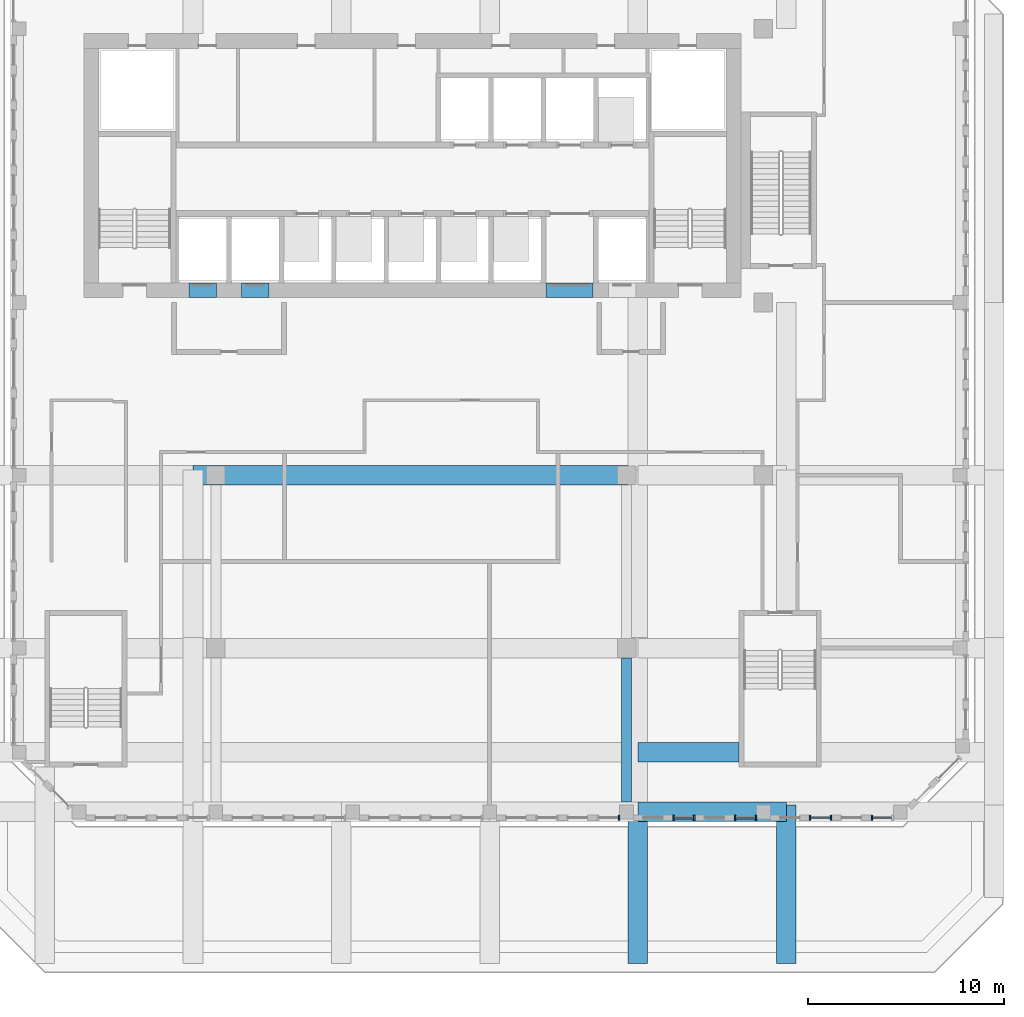
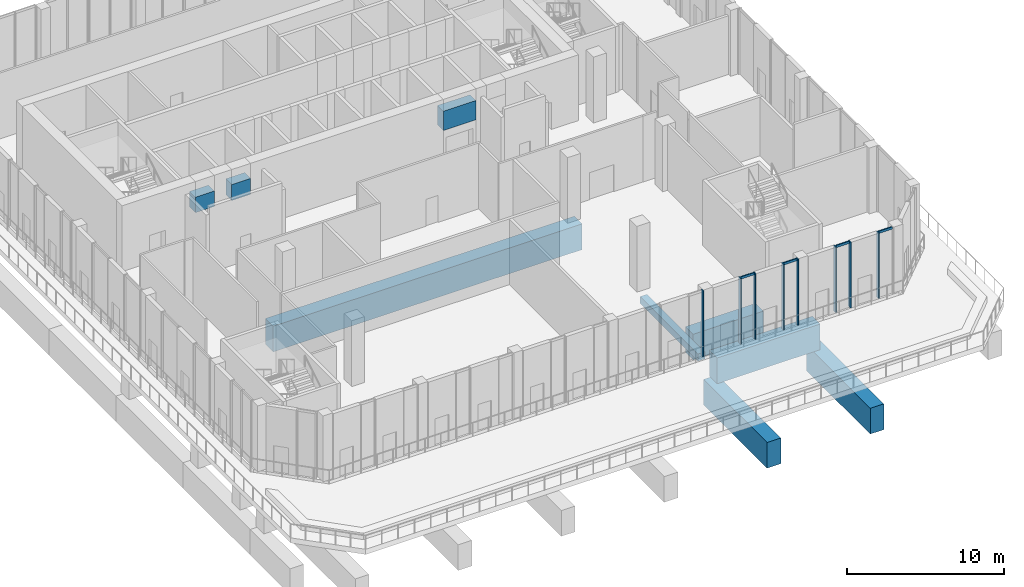
# One storey, part 3 of 18: 12 members, 9 beams, 5 elements without a shape of their own.
"""IFC4 building model written with IfcOpenShell, lengths in metres."""

from ifc_helpers import new_model, si_unit, direction, frame, origin, origin_2d, place, context, subcontext, project, spatial, rectangle, extrude, source, transform, mapped, material, material_profile, profile_set, type_object, element, aggregate, save


model = new_model("IFC4")

# Units and contexts
model_context = context("Model", 3, precision=1e-05, world=origin(), true_north=direction((0.0, 1.0)))
body_context = subcontext(model_context, "Body", "Model", "MODEL_VIEW")
ifc_project = project(units=[si_unit("LENGTHUNIT", "METRE"), si_unit("AREAUNIT", "SQUARE_METRE"), si_unit("VOLUMEUNIT", "CUBIC_METRE"), si_unit("PLANEANGLEUNIT", "RADIAN"), si_unit("MASSUNIT", "GRAM", prefix="KILO")], contexts=[model_context])

# Site, building, storey
site_placement = place(None, origin())
site = spatial("IfcSite", under=ifc_project, at=site_placement, CompositionType="ELEMENT")
building_placement = place(site_placement, origin())
building = spatial("IfcBuilding", under=site, at=building_placement, Name="Kilnfold Tower and Market Hall", CompositionType="ELEMENT")
storey_placement = place(building_placement, frame((0.0, 0.0, 233.60009765625)))
storey = spatial("IfcBuildingStorey", under=building, at=storey_placement, Name="L56", CompositionType="ELEMENT", Elevation=233.60009765625)

# Beams
ifc_material_1 = material(Name="Concrete C60", Category="concrete")
ifc_material_profile_1 = material_profile(ifc_material_1, rectangle(XDim=0.75, YDim=1.199951171875, at=origin_2d()), Name="RC 750x1200")
ifc_profile_set_1 = profile_set([ifc_material_profile_1], Name="Concrete C60")
beam_type_1 = type_object("IfcBeamType", Name="COUPLING BEAM 750X1200 C60", PredefinedType="BEAM", material=ifc_profile_set_1)
shared_shape_1 = source(origin(), body_context, "Body", "SweptSolid", [
    extrude(rectangle(XDim=0.75, YDim=1.199951171875, at=origin_2d()), origin(), (0.0, 0.0, 1.0), 1.400146484375),
])
beam_1_placement = place(storey_placement, frame((-10.3701171875, 8.625, 3.2998046875), z_axis=(1.0, 0.0, 0.0), x_axis=(0.0, 1.0, 0.0)))
element("IfcBeam", 1, at=beam_1_placement, inside=storey, type_object=beam_type_1, Name="Coupling beam CB1200-60-CORE.37", PredefinedType="BEAM", context=body_context, shape_type="MappedRepresentation", body=[
    mapped(shared_shape_1, transform((0.0, 0.0, 0.0))),
])
ifc_material_2 = material(Name="Concrete C60", Category="concrete")
ifc_material_profile_2 = material_profile(ifc_material_2, rectangle(XDim=0.75, YDim=1.25, at=origin_2d()), Name="RC 750x1250")
ifc_profile_set_2 = profile_set([ifc_material_profile_2], Name="Concrete C60")
beam_type_2 = type_object("IfcBeamType", Name="COUPLING BEAM 750X1250 C60", PredefinedType="BEAM", material=ifc_profile_set_2)
shared_shape_2 = source(origin(), body_context, "Body", "SweptSolid", [
    extrude(rectangle(XDim=0.75, YDim=1.25, at=origin_2d()), origin(), (0.0, 0.0, 1.0), 1.39990234375),
])
beam_2_placement = place(storey_placement, frame((-7.68994140625, 8.625, 3.324951171875), z_axis=(1.0, 0.0, 0.0), x_axis=(0.0, 1.0, 0.0)))
element("IfcBeam", 2, at=beam_2_placement, inside=storey, type_object=beam_type_2, Name="Coupling beam CB1250-60-CORE.39", PredefinedType="BEAM", context=body_context, shape_type="MappedRepresentation", body=[
    mapped(shared_shape_2, transform((0.0, 0.0, 0.0))),
])
ifc_material_3 = material(Name="Concrete C60", Category="concrete")
ifc_material_profile_3 = material_profile(ifc_material_3, rectangle(XDim=0.75, YDim=1.5, at=origin_2d()), Name="RC 750x1500")
ifc_profile_set_3 = profile_set([ifc_material_profile_3], Name="Concrete C60")
beam_type_3 = type_object("IfcBeamType", Name="COUPLING BEAM 750X1500 C60", PredefinedType="BEAM", material=ifc_profile_set_3)
shared_shape_3 = source(origin(), body_context, "Body", "SweptSolid", [
    extrude(rectangle(XDim=0.75, YDim=1.5, at=origin_2d()), origin(), (0.0, 0.0, 1.0), 2.400146484375),
])
beam_3_placement = place(storey_placement, frame((7.889892578125, 8.625, 3.449951171875), z_axis=(1.0, 0.0, 0.0), x_axis=(0.0, 1.0, 0.0)))
element("IfcBeam", 3, at=beam_3_placement, inside=storey, type_object=beam_type_3, Name="Coupling beam CB1500-60-CORE.41", PredefinedType="BEAM", context=body_context, shape_type="MappedRepresentation", body=[
    mapped(shared_shape_3, transform((0.0, 0.0, 0.0))),
])
ifc_material_4 = material(Name="Concrete C60", Category="concrete")
ifc_material_profile_4 = material_profile(ifc_material_4, rectangle(XDim=1.0, YDim=2.0, at=origin_2d()), Name="RC 1000x2000")
ifc_profile_set_4 = profile_set([ifc_material_profile_4], Name="Concrete C60")
beam_type_4 = type_object("IfcBeamType", Name="TRANSFER GIRDER 1000X2000 C60", PredefinedType="BEAM", material=ifc_profile_set_4)
shared_shape_4 = source(origin(), body_context, "Body", "SweptSolid", [
    extrude(rectangle(XDim=1.0, YDim=2.0, at=origin_2d()), origin(), (0.0, 0.0, 1.0), 8.112548828125),
])
for number, where, z_axis, x_axis, name in (
    (4, (12.580078125, -25.800048828125, -3.400146484375), (0.0, 1.0, 0.0), (-1.0, 0.0, 0.0), "Beam TG2000-B7.15"),
    (5, (20.169921875, -25.800048828125, -3.400146484375), (0.0, 1.0, 0.0), (-1.0, 0.0, 0.0), "Beam TG2000-B7.20"),
):
    element("IfcBeam", number, at=place(storey_placement, frame(where, z_axis=z_axis, x_axis=x_axis)), inside=storey, type_object=beam_type_4, Name=name, PredefinedType="BEAM", context=body_context, shape_type="MappedRepresentation", body=[
        mapped(shared_shape_4, transform((0.0, 0.0, 0.0))),
    ])
shared_shape_5 = source(origin(), body_context, "Body", "SweptSolid", [
    extrude(rectangle(XDim=1.0, YDim=2.0, at=origin_2d()), origin(), (0.0, 0.0, 1.0), 7.58984375),
])
beam_4_placement = place(storey_placement, frame((12.580078125, -18.050048828125, -1.400146484375), z_axis=(1.0, 0.0, 0.0), x_axis=(0.0, 1.0, 0.0)))
element("IfcBeam", 6, at=beam_4_placement, inside=storey, type_object=beam_type_4, Name="Beam TG2000-B7.39", PredefinedType="BEAM", context=body_context, shape_type="MappedRepresentation", body=[
    mapped(shared_shape_5, transform((0.0, 0.0, 0.0))),
])
shared_shape_6 = source(origin(), body_context, "Body", "SweptSolid", [
    extrude(rectangle(XDim=1.0, YDim=2.0, at=origin_2d()), origin(), (0.0, 0.0, 1.0), 22.75),
])
beam_5_placement = place(storey_placement, frame((-10.169921875, -0.830078125, -1.400146484375), z_axis=(1.0, 0.0, 0.0), x_axis=(0.0, 1.0, 0.0)))
element("IfcBeam", 7, at=beam_5_placement, inside=storey, type_object=beam_type_4, Name="Beam TG2000-B7.36", PredefinedType="BEAM", context=body_context, shape_type="MappedRepresentation", body=[
    mapped(shared_shape_6, transform((0.0, 0.0, 0.0))),
])
shared_shape_7 = source(origin(), body_context, "Body", "SweptSolid", [
    extrude(rectangle(XDim=1.0, YDim=2.0, at=origin_2d()), origin(), (0.0, 0.0, 1.0), 5.169921875),
])
beam_6_placement = place(storey_placement, frame((12.580078125, -15.0, -1.400146484375), z_axis=(1.0, 0.0, 0.0), x_axis=(0.0, 1.0, 0.0)))
element("IfcBeam", 8, at=beam_6_placement, inside=storey, type_object=beam_type_4, Name="Beam TG2000-B7.40", PredefinedType="BEAM", context=body_context, shape_type="MappedRepresentation", body=[
    mapped(shared_shape_7, transform((0.0, 0.0, 0.0))),
])
ifc_material_5 = material(Name="Concrete C45", Category="concrete")
ifc_material_profile_5 = material_profile(ifc_material_5, rectangle(XDim=0.5, YDim=0.550048828125, at=origin_2d()), Name="RC 500x550")
ifc_profile_set_5 = profile_set([ifc_material_profile_5], Name="Concrete C45")
beam_type_5 = type_object("IfcBeamType", Name="BEAM 500X550 C45", PredefinedType="BEAM", material=ifc_profile_set_5)
shared_shape_8 = source(origin(), body_context, "Body", "SweptSolid", [
    extrude(rectangle(XDim=0.5, YDim=0.550048828125, at=origin_2d()), origin(), (0.0, 0.0, 1.0), 7.380126953125),
])
beam_7_placement = place(storey_placement, frame((12.0, -17.550048828125, -0.675048828125), z_axis=(0.0, 1.0, 0.0), x_axis=(-1.0, 0.0, 0.0)))
element("IfcBeam", 9, at=beam_7_placement, inside=storey, type_object=beam_type_5, Name="Beam BB550-B7.53", PredefinedType="BEAM", context=body_context, shape_type="MappedRepresentation", body=[
    mapped(shared_shape_8, transform((0.0, 0.0, 0.0))),
])

# Curtain wall, member
ifc_material_6 = material(Name="Aluminium and double glazing", Category="aluminium")
curtain_wall_type = type_object("IfcCurtainWallType", Name="CW SKY LOBBY GLAZING", PredefinedType="NOTDEFINED", material=ifc_material_6)
curtain_wall_1_placement = place(storey_placement, origin())
curtain_wall_1 = element("IfcCurtainWall", 10, at=curtain_wall_1_placement, inside=storey, type_object=curtain_wall_type, Name="Curtain wall CW3 L56 S", PredefinedType="NOTDEFINED")
ifc_material_7 = material(Name="Aluminium", Category="aluminium")
ifc_material_profile_6 = material_profile(ifc_material_7, rectangle(XDim=0.080078125, YDim=0.25, at=origin_2d()), Name="MULLION 80x250")
ifc_profile_set_6 = profile_set([ifc_material_profile_6], Name="Aluminium")
member_type_1 = type_object("IfcMemberType", Name="MULLION 80X250", PredefinedType="MULLION", material=ifc_profile_set_6)
shared_shape_9 = source(origin(), body_context, "Body", "SweptSolid", [
    extrude(rectangle(XDim=0.080078125, YDim=0.25, at=origin_2d()), origin(), (0.0, 0.0, 1.0), 5.119873046875),
])
member_1_placement = place(storey_placement, frame((11.610107421875, -18.35009765625, 0.0), z_axis=(0.0, 0.0, 1.0), x_axis=(1.0, 0.0, 0.0)))
member_1 = element("IfcMember", 11, at=member_1_placement, type_object=member_type_1, Name="CW3 mullion 2", PredefinedType="MULLION", context=body_context, shape_type="MappedRepresentation", body=[
    mapped(shared_shape_9, transform((0.0, 0.0, 0.0))),
])
aggregate(curtain_wall_1, [member_1])

# Curtain wall, members
curtain_wall_2_placement = place(storey_placement, origin())
curtain_wall_2 = element("IfcCurtainWall", 12, at=curtain_wall_2_placement, inside=storey, type_object=curtain_wall_type, Name="Curtain wall CW3 L56 S", PredefinedType="NOTDEFINED")
member_2_placement = place(storey_placement, frame((14.389892578125, -18.35009765625, 0.0), z_axis=(0.0, 0.0, 1.0), x_axis=(1.0, 0.0, 0.0)))
member_2 = element("IfcMember", 13, at=member_2_placement, type_object=member_type_1, Name="CW3 mullion 1", PredefinedType="MULLION", context=body_context, shape_type="MappedRepresentation", body=[
    mapped(shared_shape_9, transform((0.0, 0.0, 0.0))),
])
member_3_placement = place(storey_placement, frame((15.4599609375, -18.35009765625, 0.0), z_axis=(0.0, 0.0, 1.0), x_axis=(1.0, 0.0, 0.0)))
member_3 = element("IfcMember", 14, at=member_3_placement, type_object=member_type_1, Name="CW3 mullion 2", PredefinedType="MULLION", context=body_context, shape_type="MappedRepresentation", body=[
    mapped(shared_shape_9, transform((0.0, 0.0, 0.0))),
])

curtain_wall_3_placement = place(storey_placement, origin())
curtain_wall_3 = element("IfcCurtainWall", 15, at=curtain_wall_3_placement, inside=storey, type_object=curtain_wall_type, Name="Curtain wall CW3 L56 S", PredefinedType="NOTDEFINED")
member_4_placement = place(storey_placement, frame((17.5400390625, -18.35009765625, 0.0), z_axis=(0.0, 0.0, 1.0), x_axis=(1.0, 0.0, 0.0)))
member_4 = element("IfcMember", 16, at=member_4_placement, type_object=member_type_1, Name="CW3 mullion 1", PredefinedType="MULLION", context=body_context, shape_type="MappedRepresentation", body=[
    mapped(shared_shape_9, transform((0.0, 0.0, 0.0))),
])
member_5_placement = place(storey_placement, frame((18.610107421875, -18.35009765625, 0.0), z_axis=(0.0, 0.0, 1.0), x_axis=(1.0, 0.0, 0.0)))
member_5 = element("IfcMember", 17, at=member_5_placement, type_object=member_type_1, Name="CW3 mullion 2", PredefinedType="MULLION", context=body_context, shape_type="MappedRepresentation", body=[
    mapped(shared_shape_9, transform((0.0, 0.0, 0.0))),
])

curtain_wall_4_placement = place(storey_placement, origin())
curtain_wall_4 = element("IfcCurtainWall", 18, at=curtain_wall_4_placement, inside=storey, type_object=curtain_wall_type, Name="Curtain wall CW3 L56 S", PredefinedType="NOTDEFINED")
member_6_placement = place(storey_placement, frame((21.389892578125, -18.35009765625, 0.0), z_axis=(0.0, 0.0, 1.0), x_axis=(1.0, 0.0, 0.0)))
member_6 = element("IfcMember", 19, at=member_6_placement, type_object=member_type_1, Name="CW3 mullion 1", PredefinedType="MULLION", context=body_context, shape_type="MappedRepresentation", body=[
    mapped(shared_shape_9, transform((0.0, 0.0, 0.0))),
])
member_7_placement = place(storey_placement, frame((22.4599609375, -18.35009765625, 0.0), z_axis=(0.0, 0.0, 1.0), x_axis=(1.0, 0.0, 0.0)))
member_7 = element("IfcMember", 20, at=member_7_placement, type_object=member_type_1, Name="CW3 mullion 2", PredefinedType="MULLION", context=body_context, shape_type="MappedRepresentation", body=[
    mapped(shared_shape_9, transform((0.0, 0.0, 0.0))),
])

# Curtain wall, member
curtain_wall_5_placement = place(storey_placement, origin())
curtain_wall_5 = element("IfcCurtainWall", 21, at=curtain_wall_5_placement, inside=storey, type_object=curtain_wall_type, Name="Curtain wall CW3 L56 S", PredefinedType="NOTDEFINED")
member_8_placement = place(storey_placement, frame((24.5400390625, -18.35009765625, 0.0), z_axis=(0.0, 0.0, 1.0), x_axis=(1.0, 0.0, 0.0)))
member_8 = element("IfcMember", 22, at=member_8_placement, type_object=member_type_1, Name="CW3 mullion 1", PredefinedType="MULLION", context=body_context, shape_type="MappedRepresentation", body=[
    mapped(shared_shape_9, transform((0.0, 0.0, 0.0))),
])

# Member
ifc_material_8 = material(Name="Aluminium", Category="aluminium")
ifc_material_profile_7 = material_profile(ifc_material_8, rectangle(XDim=0.080078125, YDim=0.179931640625, at=origin_2d()), Name="TRANSOM 80x180")
ifc_profile_set_7 = profile_set([ifc_material_profile_7], Name="Aluminium")
member_type_2 = type_object("IfcMemberType", Name="TRANSOM 80X180", PredefinedType="USERDEFINED", material=ifc_profile_set_7)
shared_shape_10 = source(origin(), body_context, "Body", "SweptSolid", [
    extrude(rectangle(XDim=0.080078125, YDim=0.179931640625, at=origin_2d()), origin(), (0.0, 0.0, 1.0), 0.989990234375),
])
member_9_placement = place(storey_placement, frame((14.429931640625, -18.35009765625, 5.079833984375), z_axis=(1.0, 0.0, 0.0), x_axis=(0.0, 1.0, 0.0)))
member_9 = element("IfcMember", 23, at=member_9_placement, type_object=member_type_2, Name="CW3 transom 1.2", ObjectType="TRANSOM", PredefinedType="USERDEFINED", context=body_context, shape_type="MappedRepresentation", body=[
    mapped(shared_shape_10, transform((0.0, 0.0, 0.0))),
])

aggregate(curtain_wall_2, [member_2, member_3, member_9])

member_10_placement = place(storey_placement, frame((17.580078125, -18.35009765625, 5.079833984375), z_axis=(1.0, 0.0, 0.0), x_axis=(0.0, 1.0, 0.0)))
member_10 = element("IfcMember", 24, at=member_10_placement, type_object=member_type_2, Name="CW3 transom 1.2", ObjectType="TRANSOM", PredefinedType="USERDEFINED", context=body_context, shape_type="MappedRepresentation", body=[
    mapped(shared_shape_10, transform((0.0, 0.0, 0.0))),
])

aggregate(curtain_wall_3, [member_4, member_5, member_10])

member_11_placement = place(storey_placement, frame((21.429931640625, -18.35009765625, 5.079833984375), z_axis=(1.0, 0.0, 0.0), x_axis=(0.0, 1.0, 0.0)))
member_11 = element("IfcMember", 25, at=member_11_placement, type_object=member_type_2, Name="CW3 transom 1.2", ObjectType="TRANSOM", PredefinedType="USERDEFINED", context=body_context, shape_type="MappedRepresentation", body=[
    mapped(shared_shape_10, transform((0.0, 0.0, 0.0))),
])

aggregate(curtain_wall_4, [member_6, member_7, member_11])

member_12_placement = place(storey_placement, frame((24.580078125, -18.35009765625, 5.079833984375), z_axis=(1.0, 0.0, 0.0), x_axis=(0.0, 1.0, 0.0)))
member_12 = element("IfcMember", 26, at=member_12_placement, type_object=member_type_2, Name="CW3 transom 1.2", ObjectType="TRANSOM", PredefinedType="USERDEFINED", context=body_context, shape_type="MappedRepresentation", body=[
    mapped(shared_shape_10, transform((0.0, 0.0, 0.0))),
])

aggregate(curtain_wall_5, [member_8, member_12])

save(model, "model.ifc")
